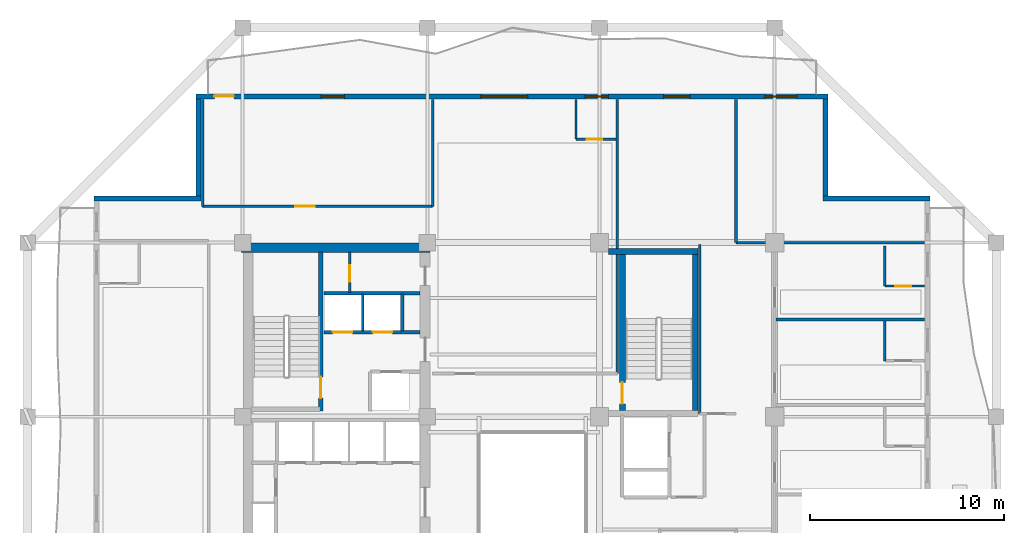
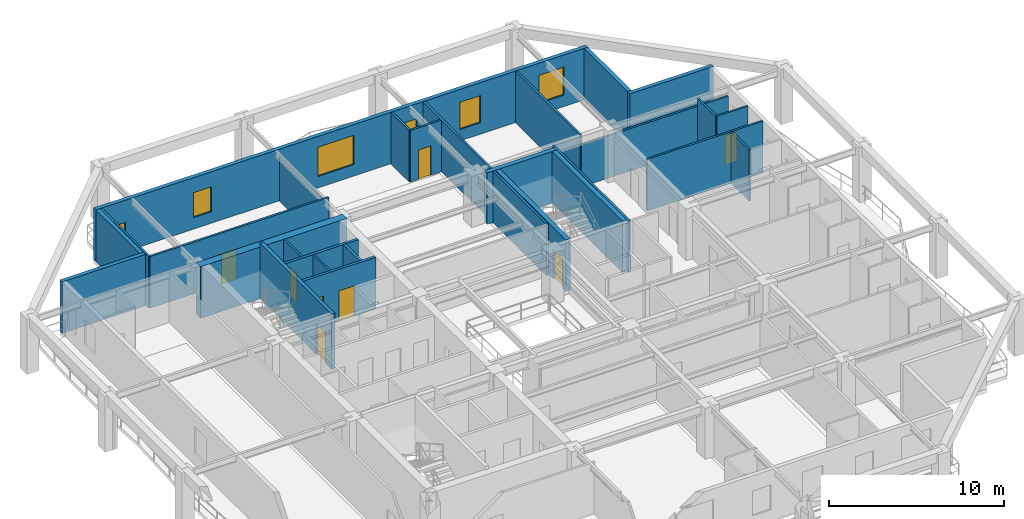
# One storey, part 6 of 13: 28 walls, 9 doors, 5 windows, 14 openings.
"""IFC4 building model written with IfcOpenShell, lengths in metres."""

from ifc_helpers import new_model, si_unit, direction, frame, frame_2d, origin, place, context, subcontext, project, spatial, rectangle, extrude, material, layer, layer_set, type_object, element, fill, save


model = new_model("IFC4")

# Units and contexts
model_context = context("Model", 3, precision=1e-05, world=origin(), true_north=direction((0.0, 1.0)))
body_context = subcontext(model_context, "Body", "Model", "MODEL_VIEW")
ifc_project = project(units=[si_unit("LENGTHUNIT", "METRE"), si_unit("AREAUNIT", "SQUARE_METRE"), si_unit("VOLUMEUNIT", "CUBIC_METRE"), si_unit("PLANEANGLEUNIT", "RADIAN"), si_unit("MASSUNIT", "GRAM", prefix="KILO")], contexts=[model_context])

# Site, building, storey
site_placement = place(None, origin())
site = spatial("IfcSite", under=ifc_project, at=site_placement, CompositionType="ELEMENT")
building_placement = place(site_placement, origin())
building = spatial("IfcBuilding", under=site, at=building_placement, Name="Kundavana Baori Tower", CompositionType="ELEMENT")
storey_placement = place(building_placement, frame((0.0, 0.0, 192.550048828125)))
storey = spatial("IfcBuildingStorey", under=building, at=storey_placement, Name="L47", CompositionType="ELEMENT", Elevation=192.550048828125)

# Wall, opening, door
ifc_material_1 = material(Name="Concrete C50/60", Category="concrete")
ifc_layer_1 = layer(ifc_material_1, 0.39990234375, Name="WL-CORE-400")
ifc_layer_set_1 = layer_set([ifc_layer_1], Name="Concrete C50/60")
wall_type_1 = type_object("IfcWallType", Name="WL-CORE-400", PredefinedType="SHEAR", material=ifc_layer_set_1)
wall_1_placement = place(storey_placement, frame((19.4599609375, 33.300048828125, 0.0), z_axis=(0.0, 0.0, 1.0), x_axis=(0.0, 1.0, 0.0)))
wall_1 = element("IfcWall", 1, at=wall_1_placement, inside=storey, type_object=wall_type_1, Name="WL-L47-ST2-E", PredefinedType="SHEAR", context=body_context, shape_type="SweptSolid", body=[
    extrude(rectangle(XDim=8.179931640625, YDim=0.239990234375, at=frame_2d((4.08984375, 0.0))), origin(), (0.0, 0.0, 1.0), 3.849853515625),
])
opening_1_placement = place(wall_1_placement, frame((0.64990234375, 0.0, 0.0)))
opening_1 = element("IfcOpeningElement", 2, at=opening_1_placement, cuts=wall_1, Name="Opening FD-110", PredefinedType="OPENING", context=body_context, shape_type="SweptSolid", body=[
    extrude(rectangle(XDim=1.10009765625, YDim=2.10009765625, at=frame_2d((0.550048828125, 1.050048828125))), frame((0.0, 0.1298828125, 0.0), z_axis=(0.0, -1.0, 0.0), x_axis=(1.0, 0.0, 0.0)), (0.0, 0.0, 1.0), 0.260009765625),
])
ifc_material_2 = material(Name="Galvanised Steel Fire-Rated Door Leaf", Category="steel")
door_type_1 = type_object("IfcDoorType", Name="DR-FD120-1100", OperationType="NOTDEFINED", PredefinedType="DOOR", material=ifc_material_2)
door_1_placement = place(opening_1_placement, origin())
door_1 = element("IfcDoor", 3, at=door_1_placement, inside=storey, type_object=door_type_1, Name="DR-L47-ST2", OperationType="SINGLE_SWING_RIGHT", OverallHeight=2.10009765625, OverallWidth=1.10009765625, PredefinedType="DOOR", context=body_context, shape_type="SweptSolid", body=[
    extrude(rectangle(XDim=1.10009765625, YDim=2.10009765625, at=frame_2d((0.550048828125, 1.050048828125))), frame((0.0, 0.02490234375, 0.0), z_axis=(0.0, -1.0, 0.0), x_axis=(1.0, 0.0, 0.0)), (0.0, 0.0, 1.0), 0.050048828125),
])
fill(opening_1, door_1)

# Walls
ifc_material_3 = material(Name="Concrete C50/60", Category="concrete")
ifc_layer_2 = layer(ifc_material_3, 0.5, Name="WL-CORE-500")
ifc_layer_set_2 = layer_set([ifc_layer_2], Name="Concrete C50/60")
wall_type_2 = type_object("IfcWallType", Name="WL-CORE-500", PredefinedType="SHEAR", material=ifc_layer_set_2)
wall_2_placement = place(storey_placement, frame((15.39990234375, 41.68994140625, 0.0), z_axis=(0.0, 0.0, 1.0), x_axis=(1.0, 0.0, 0.0)))
element("IfcWall", 4, at=wall_2_placement, inside=storey, type_object=wall_type_2, Name="L47 Offset Core North Shear Wall", PredefinedType="SHEAR", context=body_context, shape_type="SweptSolid", body=[
    extrude(rectangle(XDim=9.68017578125, YDim=0.5, at=frame_2d((4.840087890625, 0.0))), origin(), (0.0, 0.0, 1.0), 3.599853515625),
])
ifc_material_4 = material(Name="Kiln-Fired Terracotta Brick-Slip Masonry on Concrete C40/50", Category="masonry")
ifc_layer_3 = layer(ifc_material_4, 0.260009765625, Name="WL-EXT-BRK-260")
ifc_layer_set_3 = layer_set([ifc_layer_3], Name="Kiln-Fired Terracotta Brick-Slip Masonry on Concrete C40/50")
wall_type_3 = type_object("IfcWallType", Name="WL-EXT-BRK-260", PredefinedType="SOLIDWALL", material=ifc_layer_set_3)
wall_3_placement = place(storey_placement, frame((50.800048828125, 44.219970703125, 0.0), z_axis=(0.0, 0.0, 1.0), x_axis=(-1.0, 0.0, 0.0)))
element("IfcWall", 5, at=wall_3_placement, inside=storey, type_object=wall_type_3, Name="L47 Exterior Insulated Facade Wall 05", PredefinedType="SOLIDWALL", context=body_context, shape_type="SweptSolid", body=[
    extrude(rectangle(XDim=5.510009765625, YDim=0.260009765625, at=frame_2d((2.7548828125, 0.0))), origin(), (0.0, 0.0, 1.0), 3.599853515625),
])
wall_4_placement = place(storey_placement, frame((45.419921875, 44.35009765625, 0.0), z_axis=(0.0, 0.0, 1.0), x_axis=(0.0, 1.0, 0.0)))
element("IfcWall", 6, at=wall_4_placement, inside=storey, type_object=wall_type_3, Name="L47 Exterior Insulated Facade Wall 06", PredefinedType="SOLIDWALL", context=body_context, shape_type="SweptSolid", body=[
    extrude(rectangle(XDim=4.989990234375, YDim=0.260009765625, at=frame_2d((2.4951171875, 0.0))), origin(), (0.0, 0.0, 1.0), 3.599853515625),
])

# Wall, openings, door, windows
wall_5_placement = place(storey_placement, frame((45.550048828125, 49.469970703125, 0.0), z_axis=(0.0, 0.0, 1.0), x_axis=(-1.0, 0.0, 0.0)))
wall_5 = element("IfcWall", 7, at=wall_5_placement, inside=storey, type_object=wall_type_3, Name="L47 Exterior Insulated Facade Wall 07", PredefinedType="SOLIDWALL", context=body_context, shape_type="SweptSolid", body=[
    extrude(rectangle(XDim=32.5, YDim=0.260009765625, at=frame_2d((16.25, 0.0))), origin(), (0.0, 0.0, 1.0), 3.599853515625),
])
opening_2_placement = place(wall_5_placement, frame((30.550048828125, 0.0, 0.0)))
opening_2 = element("IfcOpeningElement", 8, at=opening_2_placement, cuts=wall_5, Name="Opening BD-1", PredefinedType="OPENING", context=body_context, shape_type="SweptSolid", body=[
    extrude(rectangle(XDim=1.0, YDim=2.050048828125, at=frame_2d((0.5, 1.02490234375))), frame((0.0, 0.14013671875, 0.0), z_axis=(0.0, -1.0, 0.0), x_axis=(1.0, 0.0, 0.0)), (0.0, 0.0, 1.0), 0.280029296875),
])
opening_3_placement = place(wall_5_placement, frame((24.8701171875, 0.0, 0.800048828125)))
opening_3 = element("IfcOpeningElement", 9, at=opening_3_placement, cuts=wall_5, Name="Opening W-03", PredefinedType="OPENING", context=body_context, shape_type="SweptSolid", body=[
    extrude(rectangle(XDim=1.199951171875, YDim=1.75, at=frame_2d((0.60009765625, 0.875))), frame((0.0, 0.14013671875, 0.0), z_axis=(0.0, -1.0, 0.0), x_axis=(1.0, 0.0, 0.0)), (0.0, 0.0, 1.0), 0.280029296875),
])
opening_4_placement = place(wall_5_placement, frame((15.445068359375, 0.0, 0.800048828125)))
opening_4 = element("IfcOpeningElement", 10, at=opening_4_placement, cuts=wall_5, Name="Opening W-04", PredefinedType="OPENING", context=body_context, shape_type="SweptSolid", body=[
    extrude(rectangle(XDim=2.39990234375, YDim=2.050048828125, at=frame_2d((1.199951171875, 1.02490234375))), frame((0.0, 0.14013671875, 0.0), z_axis=(0.0, -1.0, 0.0), x_axis=(1.0, 0.0, 0.0)), (0.0, 0.0, 1.0), 0.280029296875),
])
opening_5_placement = place(wall_5_placement, frame((11.294921875, 0.0, 0.800048828125)))
opening_5 = element("IfcOpeningElement", 11, at=opening_5_placement, cuts=wall_5, Name="Opening W-03", PredefinedType="OPENING", context=body_context, shape_type="SweptSolid", body=[
    extrude(rectangle(XDim=1.199951171875, YDim=1.75, at=frame_2d((0.60009765625, 0.875))), frame((0.0, 0.14013671875, 0.0), z_axis=(0.0, -1.0, 0.0), x_axis=(1.0, 0.0, 0.0)), (0.0, 0.0, 1.0), 0.280029296875),
])
opening_6_placement = place(wall_5_placement, frame((7.10498046875, 0.0, 0.800048828125)))
opening_6 = element("IfcOpeningElement", 12, at=opening_6_placement, cuts=wall_5, Name="Opening W-07", PredefinedType="OPENING", context=body_context, shape_type="SweptSolid", body=[
    extrude(rectangle(XDim=1.35009765625, YDim=1.89990234375, at=frame_2d((0.675048828125, 0.949951171875))), frame((0.0, 0.14013671875, 0.0), z_axis=(0.0, -1.0, 0.0), x_axis=(1.0, 0.0, 0.0)), (0.0, 0.0, 1.0), 0.280029296875),
])
opening_7_placement = place(wall_5_placement, frame((1.594970703125, 0.0, 0.800048828125)))
opening_7 = element("IfcOpeningElement", 13, at=opening_7_placement, cuts=wall_5, Name="Opening W-08", PredefinedType="OPENING", context=body_context, shape_type="SweptSolid", body=[
    extrude(rectangle(XDim=1.64990234375, YDim=1.949951171875, at=frame_2d((0.824951171875, 0.97509765625))), frame((0.0, 0.14013671875, 0.0), z_axis=(0.0, -1.0, 0.0), x_axis=(1.0, 0.0, 0.0)), (0.0, 0.0, 1.0), 0.280029296875),
])
ifc_material_5 = material(Name="Architectural Patinated Bronze Metalwork")
door_type_2 = type_object("IfcDoorType", Name="DR-EXT-LOG-1000", OperationType="NOTDEFINED", PredefinedType="DOOR", material=ifc_material_5)
door_2_placement = place(opening_2_placement, frame((1.0, 0.0, 0.0), z_axis=(0.0, 0.0, 1.0), x_axis=(-1.0, 0.0, 0.0)))
door_2 = element("IfcDoor", 14, at=door_2_placement, inside=storey, type_object=door_type_2, Name="L47 Loggia Balcony Access Door N", OperationType="SINGLE_SWING_LEFT", OverallHeight=2.050048828125, OverallWidth=1.0, PredefinedType="DOOR", context=body_context, shape_type="SweptSolid", body=[
    extrude(rectangle(XDim=1.0, YDim=2.050048828125, at=frame_2d((0.5, 1.02490234375))), frame((0.0, 0.02490234375, 0.0), z_axis=(0.0, -1.0, 0.0), x_axis=(1.0, 0.0, 0.0)), (0.0, 0.0, 1.0), 0.050048828125),
])
fill(opening_2, door_2)
ifc_material_6 = material(Name="Double-Glazed Solar-Control Low-E Insulated Glass", Category="glass")
window_type_1 = type_object("IfcWindowType", Name="WIN-LOG-1200x1750", PartitioningType="SINGLE_PANEL", PredefinedType="WINDOW", material=ifc_material_6)
window_1_placement = place(opening_3_placement, origin())
window_1 = element("IfcWindow", 15, at=window_1_placement, inside=storey, type_object=window_type_1, Name="L47 Recessed Loggia Window N-1", OverallHeight=1.75, OverallWidth=1.199951171875, PartitioningType="SINGLE_PANEL", PredefinedType="WINDOW", context=body_context, shape_type="SweptSolid", body=[
    extrude(rectangle(XDim=1.199951171875, YDim=1.75, at=frame_2d((0.60009765625, 0.875))), frame((0.0, 0.030029296875, 0.0), z_axis=(0.0, -1.0, 0.0), x_axis=(1.0, 0.0, 0.0)), (0.0, 0.0, 1.0), 0.06005859375),
])
fill(opening_3, window_1)
window_2_placement = place(opening_5_placement, origin())
window_2 = element("IfcWindow", 16, at=window_2_placement, inside=storey, type_object=window_type_1, Name="L47 Recessed Loggia Window N-3", OverallHeight=1.75, OverallWidth=1.199951171875, PartitioningType="SINGLE_PANEL", PredefinedType="WINDOW", context=body_context, shape_type="SweptSolid", body=[
    extrude(rectangle(XDim=1.199951171875, YDim=1.75, at=frame_2d((0.60009765625, 0.875))), frame((0.0, 0.030029296875, 0.0), z_axis=(0.0, -1.0, 0.0), x_axis=(1.0, 0.0, 0.0)), (0.0, 0.0, 1.0), 0.06005859375),
])
fill(opening_5, window_2)
ifc_material_7 = material(Name="Double-Glazed Solar-Control Low-E Insulated Glass", Category="glass")
window_type_2 = type_object("IfcWindowType", Name="WIN-LOG-1350x1900", PartitioningType="SINGLE_PANEL", PredefinedType="WINDOW", material=ifc_material_7)
window_3_placement = place(opening_6_placement, origin())
window_3 = element("IfcWindow", 17, at=window_3_placement, inside=storey, type_object=window_type_2, Name="L47 Recessed Loggia Window N-4", OverallHeight=1.89990234375, OverallWidth=1.35009765625, PartitioningType="SINGLE_PANEL", PredefinedType="WINDOW", context=body_context, shape_type="SweptSolid", body=[
    extrude(rectangle(XDim=1.35009765625, YDim=1.89990234375, at=frame_2d((0.675048828125, 0.949951171875))), frame((0.0, 0.030029296875, 0.0), z_axis=(0.0, -1.0, 0.0), x_axis=(1.0, 0.0, 0.0)), (0.0, 0.0, 1.0), 0.06005859375),
])
fill(opening_6, window_3)
ifc_material_8 = material(Name="Double-Glazed Solar-Control Low-E Insulated Glass", Category="glass")
window_type_3 = type_object("IfcWindowType", Name="WIN-LOG-1650x1950", PartitioningType="SINGLE_PANEL", PredefinedType="WINDOW", material=ifc_material_8)
window_4_placement = place(opening_7_placement, origin())
window_4 = element("IfcWindow", 18, at=window_4_placement, inside=storey, type_object=window_type_3, Name="L47 Recessed Loggia Window N-5", OverallHeight=1.949951171875, OverallWidth=1.64990234375, PartitioningType="SINGLE_PANEL", PredefinedType="WINDOW", context=body_context, shape_type="SweptSolid", body=[
    extrude(rectangle(XDim=1.64990234375, YDim=1.949951171875, at=frame_2d((0.824951171875, 0.97509765625))), frame((0.0, 0.030029296875, 0.0), z_axis=(0.0, -1.0, 0.0), x_axis=(1.0, 0.0, 0.0)), (0.0, 0.0, 1.0), 0.06005859375),
])
fill(opening_7, window_4)
ifc_material_9 = material(Name="Double-Glazed Solar-Control Low-E Insulated Glass", Category="glass")
window_type_4 = type_object("IfcWindowType", Name="WIN-LOG-2400x2050", PartitioningType="SINGLE_PANEL", PredefinedType="WINDOW", material=ifc_material_9)
window_5_placement = place(opening_4_placement, origin())
window_5 = element("IfcWindow", 19, at=window_5_placement, inside=storey, type_object=window_type_4, Name="L47 Recessed Loggia Window N-2", OverallHeight=2.050048828125, OverallWidth=2.39990234375, PartitioningType="SINGLE_PANEL", PredefinedType="WINDOW", context=body_context, shape_type="SweptSolid", body=[
    extrude(rectangle(XDim=2.39990234375, YDim=2.050048828125, at=frame_2d((1.199951171875, 1.02490234375))), frame((0.0, 0.030029296875, 0.0), z_axis=(0.0, -1.0, 0.0), x_axis=(1.0, 0.0, 0.0)), (0.0, 0.0, 1.0), 0.06005859375),
])
fill(opening_4, window_5)

# Walls
wall_6_placement = place(storey_placement, frame((13.179931640625, 49.340087890625, 0.0), z_axis=(0.0, 0.0, 1.0), x_axis=(0.0, -1.0, 0.0)))
element("IfcWall", 20, at=wall_6_placement, inside=storey, type_object=wall_type_3, Name="L47 Exterior Insulated Facade Wall 08", PredefinedType="SOLIDWALL", context=body_context, shape_type="SweptSolid", body=[
    extrude(rectangle(XDim=4.989990234375, YDim=0.260009765625, at=frame_2d((2.4951171875, 0.0))), origin(), (0.0, 0.0, 1.0), 3.599853515625),
])
wall_7_placement = place(storey_placement, frame((13.31005859375, 44.219970703125, 0.0), z_axis=(0.0, 0.0, 1.0), x_axis=(-1.0, 0.0, 0.0)))
element("IfcWall", 21, at=wall_7_placement, inside=storey, type_object=wall_type_3, Name="L47 Exterior Insulated Facade Wall 09", PredefinedType="SOLIDWALL", context=body_context, shape_type="SweptSolid", body=[
    extrude(rectangle(XDim=5.510009765625, YDim=0.260009765625, at=frame_2d((2.7548828125, 0.0))), origin(), (0.0, 0.0, 1.0), 3.599853515625),
])
ifc_material_10 = material(Name="Acoustic Gypsum Plasterboard on Galvanised Steel Studs", Category="steel")
ifc_layer_4 = layer(ifc_material_10, 0.1201171875, Name="WL-PART-120")
ifc_layer_set_4 = layer_set([ifc_layer_4], Name="Acoustic Gypsum Plasterboard on Galvanised Steel Studs")
wall_type_4 = type_object("IfcWallType", Name="WL-PART-120", PredefinedType="PARTITIONING", material=ifc_layer_set_4)
wall_8_placement = place(storey_placement, frame((21.6201171875, 37.39990234375, 0.0), z_axis=(0.0, 0.0, 1.0), x_axis=(0.0, 1.0, 0.0)))
element("IfcWall", 22, at=wall_8_placement, inside=storey, type_object=wall_type_4, Name="WL-L47-HR-DIV1", PredefinedType="PARTITIONING", context=body_context, shape_type="SweptSolid", body=[
    extrude(rectangle(XDim=1.900146484375, YDim=0.1201171875, at=frame_2d((0.9501953125, 0.0))), origin(), (0.0, 0.0, 1.0), 3.599853515625),
])

# Wall, opening, door
wall_9_placement = place(storey_placement, frame((20.949951171875, 39.39990234375, 0.0), z_axis=(0.0, 0.0, 1.0), x_axis=(0.0, 1.0, 0.0)))
wall_9 = element("IfcWall", 23, at=wall_9_placement, inside=storey, type_object=wall_type_4, Name="WL-L47-CSRV-D2", PredefinedType="PARTITIONING", context=body_context, shape_type="SweptSolid", body=[
    extrude(rectangle(XDim=2.080078125, YDim=0.1201171875, at=frame_2d((1.0400390625, 0.0))), origin(), (0.0, 0.0, 1.0), 3.599853515625),
])
opening_8_placement = place(wall_9_placement, frame((0.550048828125, 0.0, 0.0)))
opening_8 = element("IfcOpeningElement", 24, at=opening_8_placement, cuts=wall_9, Name="Opening FD-085", PredefinedType="OPENING", context=body_context, shape_type="SweptSolid", body=[
    extrude(rectangle(XDim=0.85009765625, YDim=2.06005859375, at=frame_2d((0.425048828125, 1.030029296875))), frame((0.0, 0.070068359375, 0.0), z_axis=(0.0, -1.0, 0.0), x_axis=(1.0, 0.0, 0.0)), (0.0, 0.0, 1.0), 0.14013671875),
])
ifc_material_11 = material(Name="Galvanised Steel Fire-Rated Door Leaf", Category="steel")
door_type_3 = type_object("IfcDoorType", Name="DR-FD60-850", OperationType="NOTDEFINED", PredefinedType="DOOR", material=ifc_material_11)
door_3_placement = place(opening_8_placement, origin())
door_3 = element("IfcDoor", 25, at=door_3_placement, inside=storey, type_object=door_type_3, Name="DR-L47-CSRV1", OperationType="SINGLE_SWING_RIGHT", OverallHeight=2.06005859375, OverallWidth=0.85009765625, PredefinedType="DOOR", context=body_context, shape_type="SweptSolid", body=[
    extrude(rectangle(XDim=0.85009765625, YDim=2.06005859375, at=frame_2d((0.425048828125, 1.030029296875))), frame((0.0, 0.02490234375, 0.0), z_axis=(0.0, -1.0, 0.0), x_axis=(1.0, 0.0, 0.0)), (0.0, 0.0, 1.0), 0.050048828125),
])
fill(opening_8, door_3)

# Wall
ifc_material_12 = material(Name="Acoustic Gypsum Plasterboard on Galvanised Steel Studs", Category="steel")
ifc_layer_5 = layer(ifc_material_12, 0.135009765625, Name="WL-PART-135")
ifc_layer_set_5 = layer_set([ifc_layer_5], Name="Acoustic Gypsum Plasterboard on Galvanised Steel Studs")
wall_type_5 = type_object("IfcWallType", Name="WL-PART-135", PredefinedType="PARTITIONING", material=ifc_layer_set_5)
wall_10_placement = place(storey_placement, frame((40.820068359375, 41.949951171875, 0.0), z_axis=(0.0, 0.0, 1.0), x_axis=(1.0, 0.0, 0.0)))
element("IfcWall", 26, at=wall_10_placement, inside=storey, type_object=wall_type_5, Name="WL-L47-HEN", PredefinedType="PARTITIONING", context=body_context, shape_type="SweptSolid", body=[
    extrude(rectangle(XDim=9.699951171875, YDim=0.135009765625, at=frame_2d((4.85009765625, 0.0))), origin(), (0.0, 0.0, 1.0), 2.949951171875),
])

# Wall, opening, door
wall_11_placement = place(storey_placement, frame((13.389892578125, 43.820068359375, 0.0), z_axis=(0.0, 0.0, 1.0), x_axis=(1.0, 0.0, 0.0)))
wall_11 = element("IfcWall", 27, at=wall_11_placement, inside=storey, type_object=wall_type_5, Name="WL-L47-HNC", PredefinedType="PARTITIONING", context=body_context, shape_type="SweptSolid", body=[
    extrude(rectangle(XDim=11.830078125, YDim=0.135009765625, at=frame_2d((5.9150390625, 0.0))), origin(), (0.0, 0.0, 1.0), 3.599853515625),
])
opening_9_placement = place(wall_11_placement, frame((4.760009765625, 0.0, 0.0)))
opening_9 = element("IfcOpeningElement", 28, at=opening_9_placement, cuts=wall_11, Name="Opening ID-100", PredefinedType="OPENING", context=body_context, shape_type="SweptSolid", body=[
    extrude(rectangle(XDim=1.0, YDim=2.080078125, at=frame_2d((0.5, 1.0400390625))), frame((0.0, 0.07763671875, 0.0), z_axis=(0.0, -1.0, 0.0), x_axis=(1.0, 0.0, 0.0)), (0.0, 0.0, 1.0), 0.155029296875),
])
ifc_material_13 = material(Name="Engineered Teak Solid-Core Timber Veneer", Category="wood")
door_type_4 = type_object("IfcDoorType", Name="DR-INT-1000", OperationType="NOTDEFINED", PredefinedType="DOOR", material=ifc_material_13)
door_4_placement = place(opening_9_placement, origin())
door_4 = element("IfcDoor", 29, at=door_4_placement, inside=storey, type_object=door_type_4, Name="DR-L47-HMNW", OperationType="SINGLE_SWING_RIGHT", OverallHeight=2.080078125, OverallWidth=1.0, PredefinedType="DOOR", context=body_context, shape_type="SweptSolid", body=[
    extrude(rectangle(XDim=1.0, YDim=2.080078125, at=frame_2d((0.5, 1.0400390625))), frame((0.0, 0.02490234375, 0.0), z_axis=(0.0, -1.0, 0.0), x_axis=(1.0, 0.0, 0.0)), (0.0, 0.0, 1.0), 0.050048828125),
])
fill(opening_9, door_4)

# Walls
wall_12_placement = place(storey_placement, frame((13.389892578125, 43.820068359375, 0.0), z_axis=(0.0, 0.0, 1.0), x_axis=(0.0, 1.0, 0.0)))
element("IfcWall", 30, at=wall_12_placement, inside=storey, type_object=wall_type_5, Name="WL-L47-HNCW", PredefinedType="PARTITIONING", context=body_context, shape_type="SweptSolid", body=[
    extrude(rectangle(XDim=5.5, YDim=0.135009765625, at=frame_2d((2.75, 0.0))), origin(), (0.0, 0.0, 1.0), 3.599853515625),
])
wall_13_placement = place(storey_placement, frame((25.219970703125, 43.820068359375, 0.0), z_axis=(0.0, 0.0, 1.0), x_axis=(0.0, 1.0, 0.0)))
element("IfcWall", 31, at=wall_13_placement, inside=storey, type_object=wall_type_5, Name="WL-L47-HNCE", PredefinedType="PARTITIONING", context=body_context, shape_type="SweptSolid", body=[
    extrude(rectangle(XDim=5.5, YDim=0.135009765625, at=frame_2d((2.75, 0.0))), origin(), (0.0, 0.0, 1.0), 3.14990234375),
])
wall_14_placement = place(storey_placement, frame((42.8798828125, 38.0, 0.0), z_axis=(0.0, 0.0, 1.0), x_axis=(1.0, 0.0, 0.0)))
element("IfcWall", 32, at=wall_14_placement, inside=storey, type_object=wall_type_5, Name="WL-L47-HED5", PredefinedType="PARTITIONING", context=body_context, shape_type="SweptSolid", body=[
    extrude(rectangle(XDim=7.64013671875, YDim=0.135009765625, at=frame_2d((3.820068359375, 0.0))), origin(), (0.0, 0.0, 1.0), 3.599853515625),
])
wall_15_placement = place(storey_placement, frame((34.719970703125, 35.219970703125, 0.0), z_axis=(0.0, 0.0, 1.0), x_axis=(0.0, 1.0, 0.0)))
element("IfcWall", 33, at=wall_15_placement, inside=storey, type_object=wall_type_5, Name="WL-L47-HNEND", PredefinedType="PARTITIONING", context=body_context, shape_type="SweptSolid", body=[
    extrude(rectangle(XDim=14.10009765625, YDim=0.135009765625, at=frame_2d((7.050048828125, 0.0))), origin(), (0.0, 0.0, 1.0), 3.599853515625),
])
wall_16_placement = place(storey_placement, frame((38.949951171875, 33.14990234375, 0.0), z_axis=(0.0, 0.0, 1.0), x_axis=(0.0, 1.0, 0.0)))
element("IfcWall", 34, at=wall_16_placement, inside=storey, type_object=wall_type_5, Name="WL-L47-HNEW", PredefinedType="PARTITIONING", context=body_context, shape_type="SweptSolid", body=[
    extrude(rectangle(XDim=8.7001953125, YDim=0.135009765625, at=frame_2d((4.35009765625, 0.0))), origin(), (0.0, 0.0, 1.0), 3.599853515625),
])
wall_17_placement = place(storey_placement, frame((40.820068359375, 41.949951171875, 0.0), z_axis=(0.0, 0.0, 1.0), x_axis=(0.0, 1.0, 0.0)))
element("IfcWall", 35, at=wall_17_placement, inside=storey, type_object=wall_type_5, Name="WL-L47-HNEE", PredefinedType="PARTITIONING", context=body_context, shape_type="SweptSolid", body=[
    extrude(rectangle(XDim=7.3701171875, YDim=0.135009765625, at=frame_2d((3.68505859375, 0.0))), origin(), (0.0, 0.0, 1.0), 3.599853515625),
])

# Wall, openings, doors
ifc_material_14 = material(Name="Autoclaved Aerated Concrete Blockwork Masonry", Category="masonry")
ifc_layer_6 = layer(ifc_material_14, 0.179931640625, Name="WL-SHAFT-180")
ifc_layer_set_6 = layer_set([ifc_layer_6], Name="Autoclaved Aerated Concrete Blockwork Masonry")
wall_type_6 = type_object("IfcWallType", Name="WL-SHAFT-180", PredefinedType="SOLIDWALL", material=ifc_layer_set_6)
wall_18_placement = place(storey_placement, frame((19.639892578125, 37.340087890625, 0.0), z_axis=(0.0, 0.0, 1.0), x_axis=(1.0, 0.0, 0.0)))
wall_18 = element("IfcWall", 36, at=wall_18_placement, inside=storey, type_object=wall_type_6, Name="WL-L47-HRLOB-N", PredefinedType="SOLIDWALL", context=body_context, shape_type="SweptSolid", body=[
    extrude(rectangle(XDim=4.940185546875, YDim=0.179931640625, at=frame_2d((2.47021484375, 0.0))), origin(), (0.0, 0.0, 1.0), 3.599853515625),
])
opening_10_placement = place(wall_18_placement, frame((0.449951171875, 0.0, 0.0)))
opening_10 = element("IfcOpeningElement", 37, at=opening_10_placement, cuts=wall_18, Name="Opening LD-100", PredefinedType="OPENING", context=body_context, shape_type="SweptSolid", body=[
    extrude(rectangle(XDim=1.0, YDim=2.10009765625, at=frame_2d((0.5, 1.050048828125))), frame((0.0, 0.10009765625, 0.0), z_axis=(0.0, -1.0, 0.0), x_axis=(1.0, 0.0, 0.0)), (0.0, 0.0, 1.0), 0.199951171875),
])
opening_11_placement = place(wall_18_placement, frame((2.5, 0.0, 0.0)))
opening_11 = element("IfcOpeningElement", 38, at=opening_11_placement, cuts=wall_18, Name="Opening LD-100", PredefinedType="OPENING", context=body_context, shape_type="SweptSolid", body=[
    extrude(rectangle(XDim=1.0, YDim=2.10009765625, at=frame_2d((0.5, 1.050048828125))), frame((0.0, 0.10009765625, 0.0), z_axis=(0.0, -1.0, 0.0), x_axis=(1.0, 0.0, 0.0)), (0.0, 0.0, 1.0), 0.199951171875),
])
ifc_material_15 = material(Name="Galvanised Steel Fire-Rated Door Leaf", Category="steel")
door_type_5 = type_object("IfcDoorType", Name="DR-SLIDE-LD1000", OperationType="NOTDEFINED", PredefinedType="DOOR", material=ifc_material_15)
door_5_placement = place(opening_10_placement, frame((1.0, 0.0, 0.0), z_axis=(0.0, 0.0, 1.0), x_axis=(-1.0, 0.0, 0.0)))
door_5 = element("IfcDoor", 39, at=door_5_placement, inside=storey, type_object=door_type_5, Name="DR-L47-LD-LP09", OperationType="DOUBLE_DOOR_SLIDING", OverallHeight=2.10009765625, OverallWidth=1.0, PredefinedType="DOOR", context=body_context, shape_type="SweptSolid", body=[
    extrude(rectangle(XDim=1.0, YDim=2.10009765625, at=frame_2d((0.5, 1.050048828125))), frame((0.0, 0.02490234375, 0.0), z_axis=(0.0, -1.0, 0.0), x_axis=(1.0, 0.0, 0.0)), (0.0, 0.0, 1.0), 0.050048828125),
])
fill(opening_10, door_5)
door_6_placement = place(opening_11_placement, frame((1.0, 0.0, 0.0), z_axis=(0.0, 0.0, 1.0), x_axis=(-1.0, 0.0, 0.0)))
door_6 = element("IfcDoor", 40, at=door_6_placement, inside=storey, type_object=door_type_5, Name="DR-L47-LD-LP10", OperationType="DOUBLE_DOOR_SLIDING", OverallHeight=2.10009765625, OverallWidth=1.0, PredefinedType="DOOR", context=body_context, shape_type="SweptSolid", body=[
    extrude(rectangle(XDim=1.0, YDim=2.10009765625, at=frame_2d((0.5, 1.050048828125))), frame((0.0, 0.02490234375, 0.0), z_axis=(0.0, -1.0, 0.0), x_axis=(1.0, 0.0, 0.0)), (0.0, 0.0, 1.0), 0.050048828125),
])
fill(opening_11, door_6)

# Walls
wall_19_placement = place(storey_placement, frame((19.639892578125, 39.360107421875, 0.0), z_axis=(0.0, 0.0, 1.0), x_axis=(1.0, 0.0, 0.0)))
element("IfcWall", 41, at=wall_19_placement, inside=storey, type_object=wall_type_6, Name="WL-L47-HRLOB-TOP", PredefinedType="SOLIDWALL", context=body_context, shape_type="SweptSolid", body=[
    extrude(rectangle(XDim=4.940185546875, YDim=0.179931640625, at=frame_2d((2.47021484375, 0.0))), origin(), (0.0, 0.0, 1.0), 3.599853515625),
])
wall_20_placement = place(storey_placement, frame((23.659912109375, 37.39990234375, 0.0), z_axis=(0.0, 0.0, 1.0), x_axis=(0.0, 1.0, 0.0)))
element("IfcWall", 42, at=wall_20_placement, inside=storey, type_object=wall_type_6, Name="WL-L47-HR-DIV2", PredefinedType="SOLIDWALL", context=body_context, shape_type="SweptSolid", body=[
    extrude(rectangle(XDim=1.900146484375, YDim=0.179931640625, at=frame_2d((0.9501953125, 0.0))), origin(), (0.0, 0.0, 1.0), 3.599853515625),
])
ifc_material_16 = material(Name="Concrete C50/60", Category="concrete")
ifc_layer_7 = layer(ifc_material_16, 0.300048828125, Name="WL-ST3-300")
ifc_layer_set_7 = layer_set([ifc_layer_7], Name="Concrete C50/60")
wall_type_7 = type_object("IfcWallType", Name="WL-ST3-300", PredefinedType="SHEAR", material=ifc_layer_set_7)
wall_21_placement = place(storey_placement, frame((34.27490234375, 41.489990234375, 0.0), z_axis=(0.0, 0.0, 1.0), x_axis=(1.0, 0.0, 0.0)))
element("IfcWall", 43, at=wall_21_placement, inside=storey, type_object=wall_type_7, Name="L47 Stair ST3 North Shear Wall", PredefinedType="SHEAR", context=body_context, shape_type="SweptSolid", body=[
    extrude(rectangle(XDim=4.59521484375, YDim=0.300048828125, at=frame_2d((2.297607421875, 0.0))), origin(), (0.0, 0.0, 1.0), 3.599853515625),
])

# Wall, opening, door
wall_22_placement = place(storey_placement, frame((34.97998046875, 33.31005859375, 0.0), z_axis=(0.0, 0.0, 1.0), x_axis=(0.0, 1.0, 0.0)))
wall_22 = element("IfcWall", 44, at=wall_22_placement, inside=storey, type_object=wall_type_7, Name="L47 Stair ST3 West Shear Wall", PredefinedType="SHEAR", context=body_context, shape_type="SweptSolid", body=[
    extrude(rectangle(XDim=8.030029296875, YDim=0.300048828125, at=frame_2d((4.01513671875, 0.0))), origin(), (0.0, 0.0, 1.0), 3.599853515625),
])
opening_12_placement = place(wall_22_placement, frame((0.35009765625, 0.0, 0.0)))
opening_12 = element("IfcOpeningElement", 45, at=opening_12_placement, cuts=wall_22, Name="Opening FD-110", PredefinedType="OPENING", context=body_context, shape_type="SweptSolid", body=[
    extrude(rectangle(XDim=1.10009765625, YDim=2.10009765625, at=frame_2d((0.550048828125, 1.050048828125))), frame((0.0, 0.16015625, 0.0), z_axis=(0.0, -1.0, 0.0), x_axis=(1.0, 0.0, 0.0)), (0.0, 0.0, 1.0), 0.320068359375),
])
door_7_placement = place(opening_12_placement, origin())
door_7 = element("IfcDoor", 46, at=door_7_placement, inside=storey, type_object=door_type_1, Name="DR-L47-ST3-W", OperationType="SINGLE_SWING_LEFT", OverallHeight=2.10009765625, OverallWidth=1.10009765625, PredefinedType="DOOR", context=body_context, shape_type="SweptSolid", body=[
    extrude(rectangle(XDim=1.10009765625, YDim=2.10009765625, at=frame_2d((0.550048828125, 1.050048828125))), frame((0.0, 0.02490234375, 0.0), z_axis=(0.0, -1.0, 0.0), x_axis=(1.0, 0.0, 0.0)), (0.0, 0.0, 1.0), 0.050048828125),
])
fill(opening_12, door_7)

# Walls
wall_23_placement = place(storey_placement, frame((38.719970703125, 33.31005859375, 0.0), z_axis=(0.0, 0.0, 1.0), x_axis=(0.0, 1.0, 0.0)))
element("IfcWall", 47, at=wall_23_placement, inside=storey, type_object=wall_type_7, Name="L47 Stair ST3 East Shear Wall", PredefinedType="SHEAR", context=body_context, shape_type="SweptSolid", body=[
    extrude(rectangle(XDim=8.030029296875, YDim=0.300048828125, at=frame_2d((4.01513671875, 0.0))), origin(), (0.0, 0.0, 1.0), 3.599853515625),
])
ifc_material_17 = material(Name="Autoclaved Aerated Concrete Blockwork Masonry", Category="masonry")
ifc_layer_8 = layer(ifc_material_17, 0.125, Name="WL-WET-120")
ifc_layer_set_8 = layer_set([ifc_layer_8], Name="Autoclaved Aerated Concrete Blockwork Masonry")
wall_type_8 = type_object("IfcWallType", Name="WL-WET-120", PredefinedType="PLUMBINGWALL", material=ifc_layer_set_8)
wall_24_placement = place(storey_placement, frame((48.469970703125, 35.8701171875, 0.0), z_axis=(0.0, 0.0, 1.0), x_axis=(0.0, 1.0, 0.0)))
element("IfcWall", 48, at=wall_24_placement, inside=storey, type_object=wall_type_8, Name="WL-L47-HK-E5-BW", PredefinedType="PLUMBINGWALL", context=body_context, shape_type="SweptSolid", body=[
    extrude(rectangle(XDim=2.0498046875, YDim=0.125, at=frame_2d((1.02490234375, 0.0))), origin(), (0.0, 0.0, 1.0), 3.599853515625),
])
wall_25_placement = place(storey_placement, frame((48.469970703125, 39.719970703125, 0.0), z_axis=(0.0, 0.0, 1.0), x_axis=(0.0, 1.0, 0.0)))
element("IfcWall", 49, at=wall_25_placement, inside=storey, type_object=wall_type_8, Name="WL-L47-HK-E6-BW", PredefinedType="PLUMBINGWALL", context=body_context, shape_type="SweptSolid", body=[
    extrude(rectangle(XDim=2.050048828125, YDim=0.125, at=frame_2d((1.02490234375, 0.0))), origin(), (0.0, 0.0, 1.0), 3.599853515625),
])

# Wall, opening, door
wall_26_placement = place(storey_placement, frame((48.469970703125, 39.719970703125, 0.0), z_axis=(0.0, 0.0, 1.0), x_axis=(1.0, 0.0, 0.0)))
wall_26 = element("IfcWall", 50, at=wall_26_placement, inside=storey, type_object=wall_type_8, Name="WL-L47-HK-E6-BS", PredefinedType="PLUMBINGWALL", context=body_context, shape_type="SweptSolid", body=[
    extrude(rectangle(XDim=2.050048828125, YDim=0.125, at=frame_2d((1.02490234375, 0.0))), origin(), (0.0, 0.0, 1.0), 3.599853515625),
])
opening_13_placement = place(wall_26_placement, frame((0.550048828125, 0.0, 0.0)))
opening_13 = element("IfcOpeningElement", 51, at=opening_13_placement, cuts=wall_26, Name="Opening WD-080", PredefinedType="OPENING", context=body_context, shape_type="SweptSolid", body=[
    extrude(rectangle(XDim=0.800048828125, YDim=2.050048828125, at=frame_2d((0.39990234375, 1.02490234375))), frame((0.0, 0.072509765625, 0.0), z_axis=(0.0, -1.0, 0.0), x_axis=(1.0, 0.0, 0.0)), (0.0, 0.0, 1.0), 0.14501953125),
])
ifc_material_18 = material(Name="Engineered Teak Solid-Core Timber Veneer", Category="wood")
door_type_6 = type_object("IfcDoorType", Name="DR-WET-800", OperationType="NOTDEFINED", PredefinedType="DOOR", material=ifc_material_18)
door_8_placement = place(opening_13_placement, frame((0.800048828125, 0.0, 0.0), z_axis=(0.0, 0.0, 1.0), x_axis=(-1.0, 0.0, 0.0)))
door_8 = element("IfcDoor", 52, at=door_8_placement, inside=storey, type_object=door_type_6, Name="DR-L47-HK-E6-ENS", OperationType="SINGLE_SWING_LEFT", OverallHeight=2.050048828125, OverallWidth=0.800048828125, PredefinedType="DOOR", context=body_context, shape_type="SweptSolid", body=[
    extrude(rectangle(XDim=0.800048828125, YDim=2.050048828125, at=frame_2d((0.39990234375, 1.02490234375))), frame((0.0, 0.02490234375, 0.0), z_axis=(0.0, -1.0, 0.0), x_axis=(1.0, 0.0, 0.0)), (0.0, 0.0, 1.0), 0.050048828125),
])
fill(opening_13, door_8)

# Wall
wall_27_placement = place(storey_placement, frame((32.590087890625, 47.27001953125, 0.0), z_axis=(0.0, 0.0, 1.0), x_axis=(0.0, 1.0, 0.0)))
element("IfcWall", 53, at=wall_27_placement, inside=storey, type_object=wall_type_8, Name="WL-L47-HK-N1-BW", PredefinedType="PLUMBINGWALL", context=body_context, shape_type="SweptSolid", body=[
    extrude(rectangle(XDim=2.050048828125, YDim=0.125, at=frame_2d((1.02490234375, 0.0))), origin(), (0.0, 0.0, 1.0), 3.599853515625),
])

# Wall, opening, door
wall_28_placement = place(storey_placement, frame((32.590087890625, 47.27001953125, 0.0), z_axis=(0.0, 0.0, 1.0), x_axis=(1.0, 0.0, 0.0)))
wall_28 = element("IfcWall", 54, at=wall_28_placement, inside=storey, type_object=wall_type_8, Name="WL-L47-HK-N1-BS", PredefinedType="PLUMBINGWALL", context=body_context, shape_type="SweptSolid", body=[
    extrude(rectangle(XDim=2.0498046875, YDim=0.125, at=frame_2d((1.02490234375, 0.0))), origin(), (0.0, 0.0, 1.0), 3.599853515625),
])
opening_14_placement = place(wall_28_placement, frame((0.550048828125, 0.0, 0.0)))
opening_14 = element("IfcOpeningElement", 55, at=opening_14_placement, cuts=wall_28, Name="Opening WD-080", PredefinedType="OPENING", context=body_context, shape_type="SweptSolid", body=[
    extrude(rectangle(XDim=0.800048828125, YDim=2.050048828125, at=frame_2d((0.39990234375, 1.02490234375))), frame((0.0, 0.072509765625, 0.0), z_axis=(0.0, -1.0, 0.0), x_axis=(1.0, 0.0, 0.0)), (0.0, 0.0, 1.0), 0.14501953125),
])
door_9_placement = place(opening_14_placement, frame((0.800048828125, 0.0, 0.0), z_axis=(0.0, 0.0, 1.0), x_axis=(-1.0, 0.0, 0.0)))
door_9 = element("IfcDoor", 56, at=door_9_placement, inside=storey, type_object=door_type_6, Name="DR-L47-HK-N1-ENS", OperationType="SINGLE_SWING_LEFT", OverallHeight=2.050048828125, OverallWidth=0.800048828125, PredefinedType="DOOR", context=body_context, shape_type="SweptSolid", body=[
    extrude(rectangle(XDim=0.800048828125, YDim=2.050048828125, at=frame_2d((0.39990234375, 1.02490234375))), frame((0.0, 0.02490234375, 0.0), z_axis=(0.0, -1.0, 0.0), x_axis=(1.0, 0.0, 0.0)), (0.0, 0.0, 1.0), 0.050048828125),
])
fill(opening_14, door_9)

save(model, "model.ifc")
